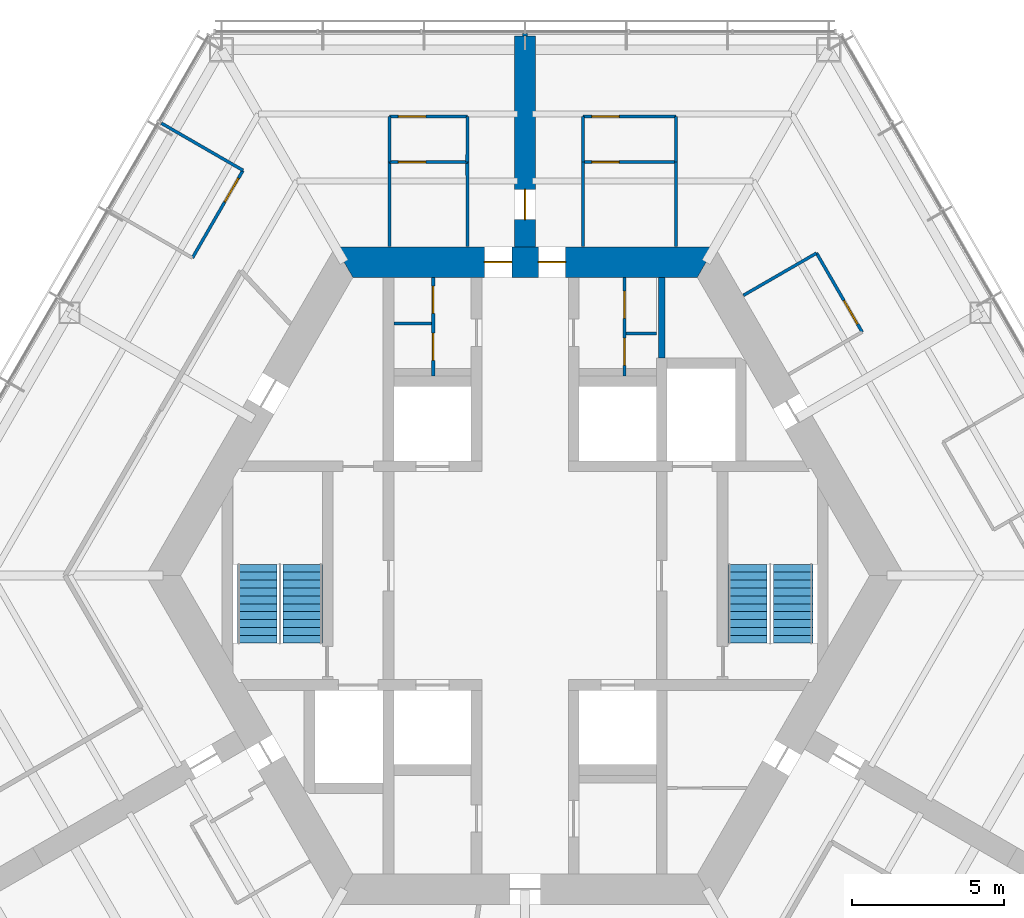
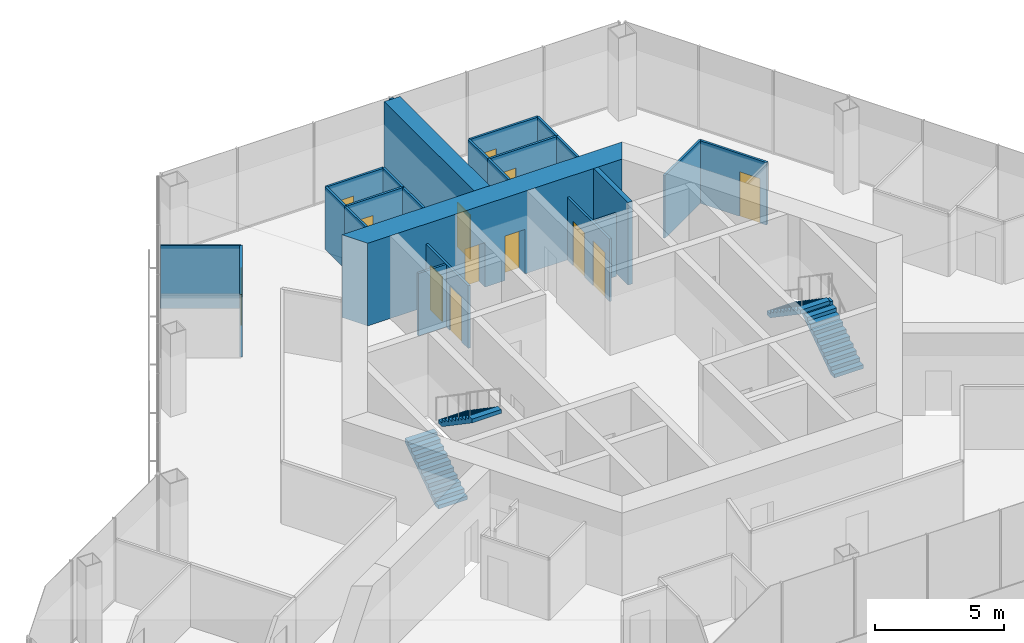
# One storey, part 15 of 18: 24 walls, 13 doors, 4 stair flights, 13 openings, 2 elements without a shape of their own.
"""IFC4 building model written with IfcOpenShell, lengths in metres."""

import ifcopenshell
import ifcopenshell.guid

model = None  # the IFC model being written
_history = None  # IfcOwnerHistory: only IFC2X3 demands one
_inside = {}  # id of a spatial element -> (the spatial element, [elements in it])
_under = {}  # id of a project, library or spatial element -> (it, [spatial elements below it])
_declared = {}  # id of a project -> (the project, [libraries it declares])
_typed = {}  # id of a type object -> (the type object, [elements of that type])
_made_of = {}  # id of a material, layer set ... -> (it, [elements and type objects made of it])


def new_model(schema):
    """Start an empty IFC model of exactly this schema.

    Asked for "IFC4X3", IfcOpenShell would pick the latest addendum, in which some entities
    have other attributes; the version numbers below select the first issue.
    IFC2X3 requires an IfcOwnerHistory on every rooted entity: one is made here for all.
    """
    global model, _history
    if schema == "IFC4X3":
        model = ifcopenshell.file(schema_version=(4, 3, 0, 0))
    else:
        model = ifcopenshell.file(schema=schema)
    _inside.clear()
    _under.clear()
    _declared.clear()
    _typed.clear()
    _made_of.clear()
    _history = None
    if model.schema == "IFC2X3":
        org = make("IfcOrganization", Name="unknown")
        user = make(
            "IfcPersonAndOrganization",
            ThePerson=make("IfcPerson", FamilyName="unknown"),
            TheOrganization=org,
        )
        app = make(
            "IfcApplication",
            ApplicationDeveloper=org,
            Version="unknown",
            ApplicationFullName="unknown",
            ApplicationIdentifier="unknown",
        )
        _history = make(
            "IfcOwnerHistory",
            OwningUser=user,
            OwningApplication=app,
            ChangeAction="ADDED",
            CreationDate=0,
        )
    return model


def make(cls, **values):
    """One entity of the class cls with the attributes given. An attribute that is None is left unset."""
    return model.create_entity(
        cls, **{name: value for name, value in values.items() if value is not None}
    )


def rooted(cls, **values):
    """An entity with a GlobalId (a new one), such as an element, a storey or a relation."""
    return make(cls, GlobalId=ifcopenshell.guid.new(), OwnerHistory=_history, **values)


def si_unit(unit_type, name, prefix=None):
    """IfcSIUnit, for example si_unit("LENGTHUNIT", "METRE", prefix="MILLI")."""
    return make("IfcSIUnit", UnitType=unit_type, Prefix=prefix, Name=name)


def assignment(units):
    """IfcUnitAssignment: the units of a project."""
    return None if units is None else make("IfcUnitAssignment", Units=units)


def point(xyz):
    """IfcCartesianPoint."""
    return None if xyz is None else make("IfcCartesianPoint", Coordinates=xyz)


def direction(xyz):
    """IfcDirection."""
    return None if xyz is None else make("IfcDirection", DirectionRatios=xyz)


def frame(location, z_axis=None, x_axis=None):
    """IfcAxis2Placement3D, a coordinate frame: its origin and axes. An axis left out is left unset."""
    return make(
        "IfcAxis2Placement3D",
        Location=point(location),
        Axis=direction(z_axis),
        RefDirection=direction(x_axis),
    )


def frame_2d(location, x_axis=None):
    """IfcAxis2Placement2D, a coordinate frame in the plane: its origin and x axis."""
    return make(
        "IfcAxis2Placement2D", Location=point(location), RefDirection=direction(x_axis)
    )


def origin():
    """The frame at (0, 0, 0) with its axes left unset."""
    return frame((0.0, 0.0, 0.0))


def place(relative_to, where):
    """IfcLocalPlacement: puts the frame where relative to a parent placement (None: the world)."""
    return make(
        "IfcLocalPlacement", PlacementRelTo=relative_to, RelativePlacement=where
    )


def context(
    kind, dimensions, precision=None, world=None, true_north=None, identifier=None
):
    """IfcGeometricRepresentationContext, for example the 3D "Model" context."""
    return make(
        "IfcGeometricRepresentationContext",
        ContextIdentifier=identifier,
        ContextType=kind,
        CoordinateSpaceDimension=dimensions,
        Precision=precision,
        WorldCoordinateSystem=world,
        TrueNorth=true_north,
    )


def subcontext(parent, identifier, kind, view, scale=None):
    """IfcGeometricRepresentationSubContext, for example "Body" below "Model"."""
    return make(
        "IfcGeometricRepresentationSubContext",
        ContextIdentifier=identifier,
        ContextType=kind,
        ParentContext=parent,
        TargetScale=scale,
        TargetView=view,
    )


def project(units=None, contexts=None):
    """IfcProject with its units and contexts."""
    return rooted(
        "IfcProject",
        Name="project",
        RepresentationContexts=contexts,
        UnitsInContext=assignment(units),
    )


def spatial(cls, under=None, at=None, **own):
    """A site, building, storey or space (cls), placed at a placement, below another one or the project."""
    s = rooted(cls, ObjectPlacement=at, **own)
    if under is not None:
        _under.setdefault(under.id(), (under, []))[1].append(s)
    return s


def polyline(points):
    """IfcPolyline through the points."""
    return make("IfcPolyline", Points=[point(p) for p in points])


def profile(cls, at=None, kind="AREA", **sizes):
    """A parametric profile (cls). Its sizes go by their IFC names, for example OverallWidth=200.0."""
    return make(cls, ProfileType=kind, Position=at, **sizes)


def rectangle(**sizes):
    """IfcRectangleProfileDef."""
    return profile("IfcRectangleProfileDef", **sizes)


def outline(outer, holes=None, kind="AREA"):
    """IfcArbitraryClosedProfileDef: a profile drawn as a closed curve; with holes, ...WithVoids."""
    if holes is None:
        return make("IfcArbitraryClosedProfileDef", ProfileType=kind, OuterCurve=outer)
    return make(
        "IfcArbitraryProfileDefWithVoids",
        ProfileType=kind,
        OuterCurve=outer,
        InnerCurves=holes,
    )


def extrude(swept, where, along, depth):
    """IfcExtrudedAreaSolid: the profile swept, set in the frame where, extruded along a direction by depth."""
    return make(
        "IfcExtrudedAreaSolid",
        SweptArea=swept,
        Position=where,
        ExtrudedDirection=direction(along),
        Depth=depth,
    )


def shape(context_of_items, identifier, shape_type, items):
    """IfcShapeRepresentation: the items that make up one representation, for example the "Body"."""
    return make(
        "IfcShapeRepresentation",
        ContextOfItems=context_of_items,
        RepresentationIdentifier=identifier,
        RepresentationType=shape_type,
        Items=items,
    )


def material(Name=None, Category=None):
    """IfcMaterial."""
    return make("IfcMaterial", Name=Name, Category=Category)


def layer(
    of_material, thickness, ventilated=None, Name=None, Category=None, Priority=None
):
    """IfcMaterialLayer: one layer of a wall or slab, of a material (None: an air gap)."""
    return make(
        "IfcMaterialLayer",
        Material=of_material,
        LayerThickness=thickness,
        IsVentilated=ventilated,
        Name=Name,
        Category=Category,
        Priority=Priority,
    )


def layer_set(layers, Name=None):
    """IfcMaterialLayerSet."""
    return make("IfcMaterialLayerSet", MaterialLayers=layers, LayerSetName=Name)


def made_of(thing, what):
    """Note that an element or type object is made of a material, layer set ...; save() writes the relation."""
    if what is not None:
        _made_of.setdefault(what.id(), (what, []))[1].append(thing)
    return thing


def type_object(cls, material=None, **own):
    """A type object (cls), such as IfcWallType, which elements share."""
    return made_of(rooted(cls, **own), material)


def element(
    cls,
    number,
    at=None,
    inside=None,
    cuts=None,
    type_object=None,
    material=None,
    context=None,
    identifier="Body",
    shape_type=None,
    held_by="IfcProductDefinitionShape",
    body=None,
    shapes=None,
    **own,
):
    """One element of the class cls, such as IfcWall. Its Tag is "e" and its number.

    at: its placement. inside: the storey or other place that contains it. cuts: it is an
    opening in that element (IfcRelVoidsElement). A single representation is given by context,
    identifier, shape_type and body (its items); several are given by shapes. held_by: the class
    of the entity that holds the representations. save() writes the other relations.
    """
    e = rooted(cls, Tag="e%d" % number, ObjectPlacement=at, **own)
    if body is not None:
        shapes = [shape(context, identifier, shape_type, body)]
    if shapes is not None:
        e.Representation = make(held_by, Representations=shapes)
    if inside is not None:
        _inside.setdefault(inside.id(), (inside, []))[1].append(e)
    if cuts is not None:
        rooted(
            "IfcRelVoidsElement", RelatingBuildingElement=cuts, RelatedOpeningElement=e
        )
    if type_object is not None:
        _typed.setdefault(type_object.id(), (type_object, []))[1].append(e)
    return made_of(e, material)


def fill(opening, filler):
    """IfcRelFillsElement: the door or window that sits in an opening."""
    return rooted(
        "IfcRelFillsElement",
        RelatingOpeningElement=opening,
        RelatedBuildingElement=filler,
    )


def aggregate(whole, parts):
    """IfcRelAggregates: a whole, such as a stair, and the parts it consists of."""
    return rooted("IfcRelAggregates", RelatingObject=whole, RelatedObjects=parts)


def save(model, path):
    """Write the relations noted so far, then the file.

    IfcRelAggregates (storeys below a building ...), IfcRelContainedInSpatialStructure (elements
    in a storey), IfcRelDefinesByType, IfcRelAssociatesMaterial and IfcRelDeclares: one each for
    every whole, place, type object, material and project.
    """
    for whole, parts in _under.values():
        aggregate(whole, parts)
    for where, things in _inside.values():
        rooted(
            "IfcRelContainedInSpatialStructure",
            RelatedElements=things,
            RelatingStructure=where,
        )
    for kind, things in _typed.values():
        rooted("IfcRelDefinesByType", RelatedObjects=things, RelatingType=kind)
    for what, things in _made_of.values():
        rooted("IfcRelAssociatesMaterial", RelatedObjects=things, RelatingMaterial=what)
    for by, libraries in _declared.values():
        rooted("IfcRelDeclares", RelatingContext=by, RelatedDefinitions=libraries)
    model.write(path)


model = new_model("IFC4")

# Units and contexts
model_context = context("Model", 3, precision=1e-05, world=origin(), true_north=direction((0.0, 1.0)))
body_context = subcontext(model_context, "Body", "Model", "MODEL_VIEW")
ifc_project = project(units=[si_unit("LENGTHUNIT", "METRE"), si_unit("AREAUNIT", "SQUARE_METRE"), si_unit("VOLUMEUNIT", "CUBIC_METRE"), si_unit("PLANEANGLEUNIT", "RADIAN"), si_unit("MASSUNIT", "GRAM", prefix="KILO")], contexts=[model_context])

# Site, building, storey
site_placement = place(None, origin())
site = spatial("IfcSite", under=ifc_project, at=site_placement, CompositionType="ELEMENT")
building_placement = place(site_placement, origin())
building = spatial("IfcBuilding", under=site, at=building_placement, Name="Kasaneha Research Tower", CompositionType="ELEMENT")
storey_placement = place(building_placement, frame((0.0, 0.0, 195.5)))
storey = spatial("IfcBuildingStorey", under=building, at=storey_placement, Name="L49", CompositionType="ELEMENT", Elevation=195.5)

# Wall, openings, doors
ifc_material_1 = material(Name="Concrete Fc70", Category="concrete")
ifc_layer_1 = layer(ifc_material_1, 1.0)
ifc_layer_set_1 = layer_set([ifc_layer_1], Name="Core wall 1000 Fc70")
wall_type_1 = type_object("IfcWallType", Name="Core wall 1000 Fc70", PredefinedType="SHEAR", material=ifc_layer_set_1)
wall_1_placement = place(storey_placement, frame((5.961181640625, 10.324951171875, 0.0), z_axis=(0.0, 0.0, 1.0), x_axis=(-1.0, 0.0, 0.0)))
wall_1 = element("IfcWall", 1, at=wall_1_placement, inside=storey, type_object=wall_type_1, Name="Core wall 090 L49", PredefinedType="SHEAR", context=body_context, shape_type="SweptSolid", body=[
    extrude(outline(polyline([(-0.28857421875, -0.5), (4.62353515625, -0.5), (5.5234375, -0.5), (6.398681640625, -0.5), (7.298583984375, -0.5), (12.2109375, -0.5), (11.6337890625, 0.5), (7.298583984375, 0.5), (6.398681640625, 0.5), (5.5234375, 0.5), (4.62353515625, 0.5), (0.28857421875, 0.5), (-0.28857421875, -0.5)])), origin(), (0.0, 0.0, 1.0), 3.89990234375),
])
opening_1_placement = place(wall_1_placement, frame((6.398681640625, 0.0, 0.0)))
opening_1 = element("IfcOpeningElement", 2, at=opening_1_placement, cuts=wall_1, Name="Opening L49-D01", PredefinedType="OPENING", context=body_context, shape_type="SweptSolid", body=[
    extrude(rectangle(XDim=0.89990234375, YDim=2.10009765625, at=frame_2d((0.449951171875, 1.050048828125))), frame((0.0, 0.510009765625, 0.0), z_axis=(0.0, -1.0, 0.0), x_axis=(1.0, 0.0, 0.0)), (0.0, 0.0, 1.0), 1.02001953125),
])
opening_2_placement = place(wall_1_placement, frame((4.62353515625, 0.0, 0.0)))
opening_2 = element("IfcOpeningElement", 3, at=opening_2_placement, cuts=wall_1, Name="Opening L49-D02", PredefinedType="OPENING", context=body_context, shape_type="SweptSolid", body=[
    extrude(rectangle(XDim=0.89990234375, YDim=2.10009765625, at=frame_2d((0.449951171875, 1.050048828125))), frame((0.0, 0.510009765625, 0.0), z_axis=(0.0, -1.0, 0.0), x_axis=(1.0, 0.0, 0.0)), (0.0, 0.0, 1.0), 1.02001953125),
])
ifc_material_2 = material(Name="Steel", Category="steel")
door_type_1 = type_object("IfcDoorType", Name="Toilet door FD20 900x2100", OperationType="NOTDEFINED", PredefinedType="DOOR", material=ifc_material_2)
door_1_placement = place(opening_1_placement, origin())
door_1 = element("IfcDoor", 4, at=door_1_placement, inside=storey, type_object=door_type_1, Name="Core door north 1 L49-D01", OperationType="SINGLE_SWING_RIGHT", OverallHeight=2.10009765625, OverallWidth=0.89990234375, PredefinedType="DOOR", context=body_context, shape_type="SweptSolid", body=[
    extrude(rectangle(XDim=0.89990234375, YDim=2.10009765625, at=frame_2d((0.449951171875, 1.050048828125))), frame((0.0, 0.02490234375, 0.0), z_axis=(0.0, -1.0, 0.0), x_axis=(1.0, 0.0, 0.0)), (0.0, 0.0, 1.0), 0.050048828125),
])
fill(opening_1, door_1)
door_2_placement = place(opening_2_placement, origin())
door_2 = element("IfcDoor", 5, at=door_2_placement, inside=storey, type_object=door_type_1, Name="Core door north 2 L49-D02", OperationType="SINGLE_SWING_LEFT", OverallHeight=2.10009765625, OverallWidth=0.89990234375, PredefinedType="DOOR", context=body_context, shape_type="SweptSolid", body=[
    extrude(rectangle(XDim=0.89990234375, YDim=2.10009765625, at=frame_2d((0.449951171875, 1.050048828125))), frame((0.0, 0.02490234375, 0.0), z_axis=(0.0, -1.0, 0.0), x_axis=(1.0, 0.0, 0.0)), (0.0, 0.0, 1.0), 0.050048828125),
])
fill(opening_2, door_2)

ifc_material_3 = material(Name="Gypsum board on steel studs, one layer each side", Category="steel")
ifc_layer_2 = layer(ifc_material_3, 0.10009765625)
ifc_layer_set_2 = layer_set([ifc_layer_2], Name="Office partition 100")
wall_type_2 = type_object("IfcWallType", Name="Office partition 100", PredefinedType="PARTITIONING", material=ifc_layer_set_2)
wall_2_placement = place(storey_placement, frame((-3.02490234375, 6.574951171875, 0.0), z_axis=(0.0, 0.0, 1.0), x_axis=(0.0, 1.0, 0.0)))
wall_2 = element("IfcWall", 6, at=wall_2_placement, inside=storey, type_object=wall_type_2, Name="Office partition TBM1 L49", PredefinedType="PARTITIONING", context=body_context, shape_type="SweptSolid", body=[
    extrude(rectangle(XDim=3.25, YDim=0.10009765625, at=frame_2d((1.625, 0.0))), origin(), (0.0, 0.0, 1.0), 2.949951171875),
])
opening_3_placement = place(wall_2_placement, frame((2.06494140625, 0.0, 0.0)))
opening_3 = element("IfcOpeningElement", 7, at=opening_3_placement, cuts=wall_2, Name="Opening L49-D20", PredefinedType="OPENING", context=body_context, shape_type="SweptSolid", body=[
    extrude(rectangle(XDim=0.89990234375, YDim=2.10009765625, at=frame_2d((0.449951171875, 1.050048828125))), frame((0.0, 0.06005859375, 0.0), z_axis=(0.0, -1.0, 0.0), x_axis=(1.0, 0.0, 0.0)), (0.0, 0.0, 1.0), 0.1201171875),
])
opening_4_placement = place(wall_2_placement, frame((0.514892578125, 0.0, 0.0)))
opening_4 = element("IfcOpeningElement", 8, at=opening_4_placement, cuts=wall_2, Name="Opening L49-D21", PredefinedType="OPENING", context=body_context, shape_type="SweptSolid", body=[
    extrude(rectangle(XDim=0.89990234375, YDim=2.10009765625, at=frame_2d((0.449951171875, 1.050048828125))), frame((0.0, 0.06005859375, 0.0), z_axis=(0.0, -1.0, 0.0), x_axis=(1.0, 0.0, 0.0)), (0.0, 0.0, 1.0), 0.1201171875),
])
ifc_material_4 = material(Name="Steel", Category="steel")
door_type_2 = type_object("IfcDoorType", Name="Toilet lobby door FD30 900x2100", OperationType="NOTDEFINED", PredefinedType="DOOR", material=ifc_material_4)
door_3_placement = place(opening_3_placement, origin())
door_3 = element("IfcDoor", 9, at=door_3_placement, inside=storey, type_object=door_type_2, Name="Men's WC door L49-D20", OperationType="SINGLE_SWING_RIGHT", OverallHeight=2.10009765625, OverallWidth=0.89990234375, PredefinedType="DOOR", context=body_context, shape_type="SweptSolid", body=[
    extrude(rectangle(XDim=0.89990234375, YDim=2.10009765625, at=frame_2d((0.449951171875, 1.050048828125))), frame((0.0, 0.02490234375, 0.0), z_axis=(0.0, -1.0, 0.0), x_axis=(1.0, 0.0, 0.0)), (0.0, 0.0, 1.0), 0.050048828125),
])
fill(opening_3, door_3)
door_4_placement = place(opening_4_placement, origin())
door_4 = element("IfcDoor", 10, at=door_4_placement, inside=storey, type_object=door_type_2, Name="Shower room door L49-D21", OperationType="SINGLE_SWING_RIGHT", OverallHeight=2.10009765625, OverallWidth=0.89990234375, PredefinedType="DOOR", context=body_context, shape_type="SweptSolid", body=[
    extrude(rectangle(XDim=0.89990234375, YDim=2.10009765625, at=frame_2d((0.449951171875, 1.050048828125))), frame((0.0, 0.02490234375, 0.0), z_axis=(0.0, -1.0, 0.0), x_axis=(1.0, 0.0, 0.0)), (0.0, 0.0, 1.0), 0.050048828125),
])
fill(opening_4, door_4)

# Wall
wall_3_placement = place(storey_placement, frame((-3.074951171875, 8.304931640625, 0.0), z_axis=(0.0, 0.0, 1.0), x_axis=(-1.0, 0.0, 0.0)))
element("IfcWall", 11, at=wall_3_placement, inside=storey, type_object=wall_type_2, Name="Office partition TBM2 L49", PredefinedType="PARTITIONING", context=body_context, shape_type="SweptSolid", body=[
    extrude(rectangle(XDim=1.25, YDim=0.10009765625, at=frame_2d((0.625, 0.0))), origin(), (0.0, 0.0, 1.0), 2.949951171875),
])

# Wall, openings, doors
wall_4_placement = place(storey_placement, frame((3.27490234375, 6.574951171875, 0.0), z_axis=(0.0, 0.0, 1.0), x_axis=(0.0, 1.0, 0.0)))
wall_4 = element("IfcWall", 12, at=wall_4_placement, inside=storey, type_object=wall_type_2, Name="Office partition TBF1 L49", PredefinedType="PARTITIONING", context=body_context, shape_type="SweptSolid", body=[
    extrude(rectangle(XDim=3.25, YDim=0.10009765625, at=frame_2d((1.625, 0.0))), origin(), (0.0, 0.0, 1.0), 2.949951171875),
])
opening_5_placement = place(wall_4_placement, frame((1.89990234375, 0.0, 0.0)))
opening_5 = element("IfcOpeningElement", 13, at=opening_5_placement, cuts=wall_4, Name="Opening L49-D22", PredefinedType="OPENING", context=body_context, shape_type="SweptSolid", body=[
    extrude(rectangle(XDim=0.89990234375, YDim=2.10009765625, at=frame_2d((0.449951171875, 1.050048828125))), frame((0.0, 0.06005859375, 0.0), z_axis=(0.0, -1.0, 0.0), x_axis=(1.0, 0.0, 0.0)), (0.0, 0.0, 1.0), 0.1201171875),
])
opening_6_placement = place(wall_4_placement, frame((0.35009765625, 0.0, 0.0)))
opening_6 = element("IfcOpeningElement", 14, at=opening_6_placement, cuts=wall_4, Name="Opening L49-D23", PredefinedType="OPENING", context=body_context, shape_type="SweptSolid", body=[
    extrude(rectangle(XDim=0.89990234375, YDim=2.10009765625, at=frame_2d((0.449951171875, 1.050048828125))), frame((0.0, 0.06005859375, 0.0), z_axis=(0.0, -1.0, 0.0), x_axis=(1.0, 0.0, 0.0)), (0.0, 0.0, 1.0), 0.1201171875),
])
door_5_placement = place(opening_5_placement, origin())
door_5 = element("IfcDoor", 15, at=door_5_placement, inside=storey, type_object=door_type_2, Name="Women's WC door L49-D22", OperationType="SINGLE_SWING_RIGHT", OverallHeight=2.10009765625, OverallWidth=0.89990234375, PredefinedType="DOOR", context=body_context, shape_type="SweptSolid", body=[
    extrude(rectangle(XDim=0.89990234375, YDim=2.10009765625, at=frame_2d((0.449951171875, 1.050048828125))), frame((0.0, 0.02490234375, 0.0), z_axis=(0.0, -1.0, 0.0), x_axis=(1.0, 0.0, 0.0)), (0.0, 0.0, 1.0), 0.050048828125),
])
fill(opening_5, door_5)
door_6_placement = place(opening_6_placement, origin())
door_6 = element("IfcDoor", 16, at=door_6_placement, inside=storey, type_object=door_type_2, Name="Cleaner's store door L49-D23", OperationType="SINGLE_SWING_RIGHT", OverallHeight=2.10009765625, OverallWidth=0.89990234375, PredefinedType="DOOR", context=body_context, shape_type="SweptSolid", body=[
    extrude(rectangle(XDim=0.89990234375, YDim=2.10009765625, at=frame_2d((0.449951171875, 1.050048828125))), frame((0.0, 0.02490234375, 0.0), z_axis=(0.0, -1.0, 0.0), x_axis=(1.0, 0.0, 0.0)), (0.0, 0.0, 1.0), 0.050048828125),
])
fill(opening_6, door_6)

# Wall
wall_5_placement = place(storey_placement, frame((3.324951171875, 7.97509765625, 0.0), z_axis=(0.0, 0.0, 1.0), x_axis=(1.0, 0.0, 0.0)))
element("IfcWall", 17, at=wall_5_placement, inside=storey, type_object=wall_type_2, Name="Office partition TBF2 L49", PredefinedType="PARTITIONING", context=body_context, shape_type="SweptSolid", body=[
    extrude(rectangle(XDim=1.0, YDim=0.10009765625, at=frame_2d((0.5, 0.0))), origin(), (0.0, 0.0, 1.0), 2.949951171875),
])

# Wall, opening, door
wall_6_placement = place(storey_placement, frame((1.89990234375, 13.6201171875, 0.0), z_axis=(0.0, 0.0, 1.0), x_axis=(1.0, 0.0, 0.0)))
wall_6 = element("IfcWall", 18, at=wall_6_placement, inside=storey, type_object=wall_type_2, Name="Office partition FAE01 L49", PredefinedType="PARTITIONING", context=body_context, shape_type="SweptSolid", body=[
    extrude(rectangle(XDim=3.071044921875, YDim=0.10009765625, at=frame_2d((1.53564453125, 0.0))), origin(), (0.0, 0.0, 1.0), 2.949951171875),
])
opening_7_placement = place(wall_6_placement, frame((0.300048828125, 0.0, 0.0)))
opening_7 = element("IfcOpeningElement", 19, at=opening_7_placement, cuts=wall_6, Name="Opening L49-D25", PredefinedType="OPENING", context=body_context, shape_type="SweptSolid", body=[
    extrude(rectangle(XDim=0.89990234375, YDim=2.10009765625, at=frame_2d((0.449951171875, 1.050048828125))), frame((0.0, 0.06005859375, 0.0), z_axis=(0.0, -1.0, 0.0), x_axis=(1.0, 0.0, 0.0)), (0.0, 0.0, 1.0), 0.1201171875),
])
door_7_placement = place(opening_7_placement, origin())
door_7 = element("IfcDoor", 20, at=door_7_placement, inside=storey, type_object=door_type_2, Name="Women's WC door L49-D25", OperationType="SINGLE_SWING_LEFT", OverallHeight=2.10009765625, OverallWidth=0.89990234375, PredefinedType="DOOR", context=body_context, shape_type="SweptSolid", body=[
    extrude(rectangle(XDim=0.89990234375, YDim=2.10009765625, at=frame_2d((0.449951171875, 1.050048828125))), frame((0.0, 0.02490234375, 0.0), z_axis=(0.0, -1.0, 0.0), x_axis=(1.0, 0.0, 0.0)), (0.0, 0.0, 1.0), 0.050048828125),
])
fill(opening_7, door_7)

# Walls
for number, where, z_axis, x_axis, name in (
    (21, (1.89990234375, 10.844970703125, 0.0), (0.0, 0.0, 1.0), (0.001668567099, 0.999998607941, 0.0), "Office partition FAE02 L49"),
    (22, (4.96630859375, 13.625, 0.0), (0.0, 0.0, 1.0), (0.001668567099, -0.999998607941, 0.0), "Office partition FAE03 L49"),
):
    element("IfcWall", number, at=place(storey_placement, frame(where, z_axis=z_axis, x_axis=x_axis)), inside=storey, type_object=wall_type_2, Name=name, PredefinedType="PARTITIONING", context=body_context, shape_type="SweptSolid", body=[
        extrude(rectangle(XDim=2.780029296875, YDim=0.10009765625, at=frame_2d((1.39013671875, 0.0))), origin(), (0.0, 0.0, 1.0), 2.949951171875),
    ])

# Wall, opening, door
wall_7_placement = place(storey_placement, frame((1.89990234375, 15.125, 0.0), z_axis=(0.0, 0.0, 1.0), x_axis=(1.0, 0.0, 0.0)))
wall_7 = element("IfcWall", 23, at=wall_7_placement, inside=storey, type_object=wall_type_2, Name="Office partition FAE04 L49", PredefinedType="PARTITIONING", context=body_context, shape_type="SweptSolid", body=[
    extrude(rectangle(XDim=3.071044921875, YDim=0.10009765625, at=frame_2d((1.53564453125, 0.0))), origin(), (0.0, 0.0, 1.0), 2.949951171875),
])
opening_8_placement = place(wall_7_placement, frame((0.300048828125, 0.0, 0.0)))
opening_8 = element("IfcOpeningElement", 24, at=opening_8_placement, cuts=wall_7, Name="Opening L49-D26", PredefinedType="OPENING", context=body_context, shape_type="SweptSolid", body=[
    extrude(rectangle(XDim=0.89990234375, YDim=2.10009765625, at=frame_2d((0.449951171875, 1.050048828125))), frame((0.0, 0.06005859375, 0.0), z_axis=(0.0, -1.0, 0.0), x_axis=(1.0, 0.0, 0.0)), (0.0, 0.0, 1.0), 0.1201171875),
])
door_8_placement = place(opening_8_placement, origin())
door_8 = element("IfcDoor", 25, at=door_8_placement, inside=storey, type_object=door_type_2, Name="Toilet lobby door L49-D26", OperationType="SINGLE_SWING_LEFT", OverallHeight=2.10009765625, OverallWidth=0.89990234375, PredefinedType="DOOR", context=body_context, shape_type="SweptSolid", body=[
    extrude(rectangle(XDim=0.89990234375, YDim=2.10009765625, at=frame_2d((0.449951171875, 1.050048828125))), frame((0.0, 0.02490234375, 0.0), z_axis=(0.0, -1.0, 0.0), x_axis=(1.0, 0.0, 0.0)), (0.0, 0.0, 1.0), 0.050048828125),
])
fill(opening_8, door_8)

# Walls
for number, where, z_axis, x_axis, name in (
    (26, (1.904541015625, 13.625, 0.0), (0.0, 0.0, 1.0), (-0.00309243313, 0.999995218417, 0.0), "Office partition FAE05 L49"),
    (27, (4.970947265625, 15.125, 0.0), (0.0, 0.0, 1.0), (-0.00309243313, -0.999995218417, 0.0), "Office partition FAE06 L49"),
):
    element("IfcWall", number, at=place(storey_placement, frame(where, z_axis=z_axis, x_axis=x_axis)), inside=storey, type_object=wall_type_2, Name=name, PredefinedType="PARTITIONING", context=body_context, shape_type="SweptSolid", body=[
        extrude(rectangle(XDim=1.5, YDim=0.10009765625, at=frame_2d((0.75, 0.0))), origin(), (0.0, 0.0, 1.0), 2.949951171875),
    ])
wall_8_placement = place(storey_placement, frame((7.19189453125, 9.23291015625, 0.0), z_axis=(0.0, 0.0, 1.0), x_axis=(0.866018876994, 0.500011304563, 0.0)))
element("IfcWall", 28, at=wall_8_placement, inside=storey, type_object=wall_type_2, Name="Office partition FAE07 L49", PredefinedType="PARTITIONING", context=body_context, shape_type="SweptSolid", body=[
    extrude(rectangle(XDim=2.7802734375, YDim=0.10009765625, at=frame_2d((1.39013671875, 0.0))), origin(), (0.0, 0.0, 1.0), 2.949951171875),
])

# Wall, opening, door
wall_9_placement = place(storey_placement, frame((9.599609375, 10.623046875, 0.0), z_axis=(0.0, 0.0, 1.0), x_axis=(0.499990139034, -0.866031096941, 0.0)))
wall_9 = element("IfcWall", 29, at=wall_9_placement, inside=storey, type_object=wall_type_2, Name="Office partition FAE08 L49", PredefinedType="PARTITIONING", context=body_context, shape_type="SweptSolid", body=[
    extrude(rectangle(XDim=3.0, YDim=0.10009765625, at=frame_2d((1.5, 0.0))), origin(), (0.0, 0.0, 1.0), 2.949951171875),
])
opening_9_placement = place(wall_9_placement, frame((1.800048828125, 0.0, 0.0)))
opening_9 = element("IfcOpeningElement", 30, at=opening_9_placement, cuts=wall_9, Name="Opening L49-D27", PredefinedType="OPENING", context=body_context, shape_type="SweptSolid", body=[
    extrude(rectangle(XDim=0.89990234375, YDim=2.10009765625, at=frame_2d((0.449951171875, 1.050048828125))), frame((0.0, 0.06005859375, 0.0), z_axis=(0.0, -1.0, 0.0), x_axis=(1.0, 0.0, 0.0)), (0.0, 0.0, 1.0), 0.1201171875),
])
ifc_material_5 = material(Name="Timber veneer", Category="wood")
door_type_3 = type_object("IfcDoorType", Name="Office door 900x2100", OperationType="SINGLE_SWING_LEFT", PredefinedType="DOOR", material=ifc_material_5)
door_9_placement = place(opening_9_placement, origin())
door_9 = element("IfcDoor", 31, at=door_9_placement, inside=storey, type_object=door_type_3, Name="Pantry door L49-D27", OperationType="SINGLE_SWING_RIGHT", OverallHeight=2.10009765625, OverallWidth=0.89990234375, PredefinedType="DOOR", context=body_context, shape_type="SweptSolid", body=[
    extrude(rectangle(XDim=0.89990234375, YDim=2.10009765625, at=frame_2d((0.449951171875, 1.050048828125))), frame((0.0, 0.02490234375, 0.0), z_axis=(0.0, -1.0, 0.0), x_axis=(1.0, 0.0, 0.0)), (0.0, 0.0, 1.0), 0.050048828125),
])
fill(opening_9, door_9)

wall_10_placement = place(storey_placement, frame((-4.470947265625, 13.6201171875, 0.0), z_axis=(0.0, 0.0, 1.0), x_axis=(1.0, 0.0, 0.0)))
wall_10 = element("IfcWall", 32, at=wall_10_placement, inside=storey, type_object=wall_type_2, Name="Office partition FAW01 L49", PredefinedType="PARTITIONING", context=body_context, shape_type="SweptSolid", body=[
    extrude(rectangle(XDim=2.571044921875, YDim=0.10009765625, at=frame_2d((1.28564453125, 0.0))), origin(), (0.0, 0.0, 1.0), 2.949951171875),
])
opening_10_placement = place(wall_10_placement, frame((0.300048828125, 0.0, 0.0)))
opening_10 = element("IfcOpeningElement", 33, at=opening_10_placement, cuts=wall_10, Name="Opening L49-D30", PredefinedType="OPENING", context=body_context, shape_type="SweptSolid", body=[
    extrude(rectangle(XDim=0.89990234375, YDim=2.10009765625, at=frame_2d((0.449951171875, 1.050048828125))), frame((0.0, 0.06005859375, 0.0), z_axis=(0.0, -1.0, 0.0), x_axis=(1.0, 0.0, 0.0)), (0.0, 0.0, 1.0), 0.1201171875),
])
door_10_placement = place(opening_10_placement, origin())
door_10 = element("IfcDoor", 34, at=door_10_placement, inside=storey, type_object=door_type_2, Name="Men's WC door L49-D30", OperationType="SINGLE_SWING_LEFT", OverallHeight=2.10009765625, OverallWidth=0.89990234375, PredefinedType="DOOR", context=body_context, shape_type="SweptSolid", body=[
    extrude(rectangle(XDim=0.89990234375, YDim=2.10009765625, at=frame_2d((0.449951171875, 1.050048828125))), frame((0.0, 0.02490234375, 0.0), z_axis=(0.0, -1.0, 0.0), x_axis=(1.0, 0.0, 0.0)), (0.0, 0.0, 1.0), 0.050048828125),
])
fill(opening_10, door_10)

# Walls
for number, where, z_axis, x_axis, name in (
    (35, (-4.470947265625, 10.844970703125, 0.0), (0.0, 0.0, 1.0), (0.001668567099, 0.999998607941, 0.0), "Office partition FAW02 L49"),
    (36, (-1.90478515625, 13.625, 0.0), (0.0, 0.0, 1.0), (0.001756386155, -0.999998457553, 0.0), "Office partition FAW03 L49"),
):
    element("IfcWall", number, at=place(storey_placement, frame(where, z_axis=z_axis, x_axis=x_axis)), inside=storey, type_object=wall_type_2, Name=name, PredefinedType="PARTITIONING", context=body_context, shape_type="SweptSolid", body=[
        extrude(rectangle(XDim=2.780029296875, YDim=0.10009765625, at=frame_2d((1.39013671875, 0.0))), origin(), (0.0, 0.0, 1.0), 2.949951171875),
    ])

# Wall, opening, door
wall_11_placement = place(storey_placement, frame((-4.470947265625, 15.125, 0.0), z_axis=(0.0, 0.0, 1.0), x_axis=(1.0, 0.0, 0.0)))
wall_11 = element("IfcWall", 37, at=wall_11_placement, inside=storey, type_object=wall_type_2, Name="Office partition FAW04 L49", PredefinedType="PARTITIONING", context=body_context, shape_type="SweptSolid", body=[
    extrude(rectangle(XDim=2.571044921875, YDim=0.10009765625, at=frame_2d((1.28564453125, 0.0))), origin(), (0.0, 0.0, 1.0), 2.949951171875),
])
opening_11_placement = place(wall_11_placement, frame((0.300048828125, 0.0, 0.0)))
opening_11 = element("IfcOpeningElement", 38, at=opening_11_placement, cuts=wall_11, Name="Opening L49-D31", PredefinedType="OPENING", context=body_context, shape_type="SweptSolid", body=[
    extrude(rectangle(XDim=0.89990234375, YDim=2.10009765625, at=frame_2d((0.449951171875, 1.050048828125))), frame((0.0, 0.06005859375, 0.0), z_axis=(0.0, -1.0, 0.0), x_axis=(1.0, 0.0, 0.0)), (0.0, 0.0, 1.0), 0.1201171875),
])
door_11_placement = place(opening_11_placement, origin())
door_11 = element("IfcDoor", 39, at=door_11_placement, inside=storey, type_object=door_type_2, Name="Toilet lobby door L49-D31", OperationType="SINGLE_SWING_LEFT", OverallHeight=2.10009765625, OverallWidth=0.89990234375, PredefinedType="DOOR", context=body_context, shape_type="SweptSolid", body=[
    extrude(rectangle(XDim=0.89990234375, YDim=2.10009765625, at=frame_2d((0.449951171875, 1.050048828125))), frame((0.0, 0.02490234375, 0.0), z_axis=(0.0, -1.0, 0.0), x_axis=(1.0, 0.0, 0.0)), (0.0, 0.0, 1.0), 0.050048828125),
])
fill(opening_11, door_11)

# Walls
for number, where, z_axis, x_axis, name in (
    (40, (-4.46630859375, 13.625, 0.0), (0.0, 0.0, 1.0), (-0.00309243313, 0.999995218417, 0.0), "Office partition FAW05 L49"),
    (41, (-1.89990234375, 15.125, 0.0), (0.0, 0.0, 1.0), (-0.003255191087, -0.999994701851, 0.0), "Office partition FAW06 L49"),
):
    element("IfcWall", number, at=place(storey_placement, frame(where, z_axis=z_axis, x_axis=x_axis)), inside=storey, type_object=wall_type_2, Name=name, PredefinedType="PARTITIONING", context=body_context, shape_type="SweptSolid", body=[
        extrude(rectangle(XDim=1.5, YDim=0.10009765625, at=frame_2d((0.75, 0.0))), origin(), (0.0, 0.0, 1.0), 2.949951171875),
    ])
wall_12_placement = place(storey_placement, frame((-11.979736328125, 14.901611328125, 0.0), z_axis=(0.0, 0.0, 1.0), x_axis=(0.866042875753, -0.499969736442, 0.0)))
element("IfcWall", 42, at=wall_12_placement, inside=storey, type_object=wall_type_2, Name="Office partition FBN12 L49", PredefinedType="PARTITIONING", context=body_context, shape_type="SweptSolid", body=[
    extrude(rectangle(XDim=3.105224609375, YDim=0.10009765625, at=frame_2d((1.552734375, 0.0))), origin(), (0.0, 0.0, 1.0), 2.949951171875),
])

# Wall, opening, door
wall_13_placement = place(storey_placement, frame((-9.29052734375, 13.34912109375, 0.0), z_axis=(0.0, 0.0, 1.0), x_axis=(-0.500033344505, -0.86600615147, 0.0)))
wall_13 = element("IfcWall", 43, at=wall_13_placement, inside=storey, type_object=wall_type_2, Name="Office partition FBN14 L49", PredefinedType="PARTITIONING", context=body_context, shape_type="SweptSolid", body=[
    extrude(rectangle(XDim=3.330810546875, YDim=0.10009765625, at=frame_2d((1.66552734375, 0.0))), origin(), (0.0, 0.0, 1.0), 2.949951171875),
])
opening_12_placement = place(wall_13_placement, frame((0.300048828125, 0.0, 0.0)))
opening_12 = element("IfcOpeningElement", 44, at=opening_12_placement, cuts=wall_13, Name="Opening L49-D36", PredefinedType="OPENING", context=body_context, shape_type="SweptSolid", body=[
    extrude(rectangle(XDim=0.89990234375, YDim=2.10009765625, at=frame_2d((0.449951171875, 1.050048828125))), frame((0.0, 0.06005859375, 0.0), z_axis=(0.0, -1.0, 0.0), x_axis=(1.0, 0.0, 0.0)), (0.0, 0.0, 1.0), 0.1201171875),
])
door_12_placement = place(opening_12_placement, origin())
door_12 = element("IfcDoor", 45, at=door_12_placement, inside=storey, type_object=door_type_3, Name="Project room door L49-D36", OperationType="SINGLE_SWING_LEFT", OverallHeight=2.10009765625, OverallWidth=0.89990234375, PredefinedType="DOOR", context=body_context, shape_type="SweptSolid", body=[
    extrude(rectangle(XDim=0.89990234375, YDim=2.10009765625, at=frame_2d((0.449951171875, 1.050048828125))), frame((0.0, 0.02490234375, 0.0), z_axis=(0.0, -1.0, 0.0), x_axis=(1.0, 0.0, 0.0)), (0.0, 0.0, 1.0), 0.050048828125),
])
fill(opening_12, door_12)

# Wall
ifc_material_6 = material(Name="Concrete block", Category="concrete")
ifc_layer_3 = layer(ifc_material_6, 0.199951171875)
ifc_layer_set_3 = layer_set([ifc_layer_3], Name="Riser enclosure wall 200")
wall_type_3 = type_object("IfcWallType", Name="Riser enclosure wall 200", PredefinedType="STANDARD", material=ifc_layer_set_3)
wall_14_placement = place(storey_placement, frame((4.5, 7.175048828125, 0.0), z_axis=(0.0, 0.0, 1.0), x_axis=(0.0, 1.0, 0.0)))
element("IfcWall", 46, at=wall_14_placement, inside=storey, type_object=wall_type_3, Name="Riser enclosure wall L49", PredefinedType="STANDARD", context=body_context, shape_type="SweptSolid", body=[
    extrude(rectangle(XDim=2.64990234375, YDim=0.199951171875, at=frame_2d((1.324951171875, 0.0))), origin(), (0.0, 0.0, 1.0), 3.89990234375),
])

# Wall, opening, door
ifc_material_7 = material(Name="Concrete Fc70", Category="concrete")
ifc_layer_4 = layer(ifc_material_7, 0.699951171875)
ifc_layer_set_4 = layer_set([ifc_layer_4], Name="Spine wall 700 Fc70")
wall_type_4 = type_object("IfcWallType", Name="Spine wall 700 Fc70", PredefinedType="SHEAR", material=ifc_layer_set_4)
wall_15_placement = place(storey_placement, frame((0.0, 10.824951171875, 0.0), z_axis=(0.0, 0.0, 1.0), x_axis=(0.0, 1.0, 0.0)))
wall_15 = element("IfcWall", 47, at=wall_15_placement, inside=storey, type_object=wall_type_4, Name="Spine wall A L49", PredefinedType="SHEAR", context=body_context, shape_type="SweptSolid", body=[
    extrude(rectangle(XDim=6.945556640625, YDim=0.699951171875, at=frame_2d((3.47265625, 0.0))), origin(), (0.0, 0.0, 1.0), 3.89990234375),
])
opening_13_placement = place(wall_15_placement, frame((0.89990234375, 0.0, 0.0)))
opening_13 = element("IfcOpeningElement", 48, at=opening_13_placement, cuts=wall_15, Name="Opening L49-D17", PredefinedType="OPENING", context=body_context, shape_type="SweptSolid", body=[
    extrude(rectangle(XDim=1.0, YDim=2.10009765625, at=frame_2d((0.5, 1.050048828125))), frame((0.0, 0.35986328125, 0.0), z_axis=(0.0, -1.0, 0.0), x_axis=(1.0, 0.0, 0.0)), (0.0, 0.0, 1.0), 0.719970703125),
])
ifc_material_8 = material(Name="Steel", Category="steel")
door_type_4 = type_object("IfcDoorType", Name="Specified fire door FD60 1000x2100", OperationType="NOTDEFINED", PredefinedType="DOOR", material=ifc_material_8)
door_13_placement = place(opening_13_placement, origin())
door_13 = element("IfcDoor", 49, at=door_13_placement, inside=storey, type_object=door_type_4, Name="Spine doorway A L49-D17", OperationType="SINGLE_SWING_LEFT", OverallHeight=2.10009765625, OverallWidth=1.0, PredefinedType="DOOR", context=body_context, shape_type="SweptSolid", body=[
    extrude(rectangle(XDim=1.0, YDim=2.10009765625, at=frame_2d((0.5, 1.050048828125))), frame((0.0, 0.02490234375, 0.0), z_axis=(0.0, -1.0, 0.0), x_axis=(1.0, 0.0, 0.0)), (0.0, 0.0, 1.0), 0.050048828125),
])
fill(opening_13, door_13)

# Wall
ifc_material_9 = material(Name="Gypsum board on steel studs, two layers each side", Category="steel")
ifc_layer_5 = layer(ifc_material_9, 0.175048828125)
ifc_layer_set_5 = layer_set([ifc_layer_5], Name="Tenancy fire partition 175")
wall_type_5 = type_object("IfcWallType", Name="Tenancy fire partition 175", PredefinedType="PARTITIONING", material=ifc_layer_set_5)
wall_16_placement = place(storey_placement, frame((0.0, 17.7705078125, 0.0), z_axis=(0.0, 0.0, 1.0), x_axis=(0.0, 1.0, 0.0)))
element("IfcWall", 50, at=wall_16_placement, inside=storey, type_object=wall_type_5, Name="Spine wall closer SW3-700 L49", PredefinedType="PARTITIONING", context=body_context, shape_type="SweptSolid", body=[
    extrude(rectangle(XDim=0.080078125, YDim=0.175048828125, at=frame_2d((0.0400390625, 0.0))), origin(), (0.0, 0.0, 1.0), 3.89990234375),
])

# Stair, stair flights
ifc_material_10 = material(Name="Concrete Fc24", Category="concrete")
stair_type = type_object("IfcStairType", Name="Half-turn stair 22 risers", PredefinedType="HALF_TURN_STAIR", material=ifc_material_10)
stair_1_placement = place(storey_placement, origin())
stair_1 = element("IfcStair", 51, at=stair_1_placement, inside=storey, type_object=stair_type, Name="Stair 1 L49", PredefinedType="HALF_TURN_STAIR")
ifc_material_11 = material(Name="Concrete Fc24", Category="concrete")
stair_flight_type = type_object("IfcStairFlightType", Name="Stair flight 11 risers 177.3", PredefinedType="STRAIGHT", material=ifc_material_11)
stair_flight_1_placement = place(storey_placement, frame((8.824951171875, -2.22509765625, 0.0), z_axis=(0.0, 0.0, 1.0), x_axis=(0.0, 1.0, 0.0)))
stair_flight_1 = element("IfcStairFlight", 52, at=stair_flight_1_placement, type_object=stair_flight_type, Name="ST1-22R flight 1", NumberOfRisers=11, NumberOfTreads=10, PredefinedType="STRAIGHT", RiserHeight=0.177272727, TreadLength=0.26, context=body_context, shape_type="SweptSolid", body=[
    extrude(outline(polyline([(0.0, 0.0), (0.0, 0.17724609375), (0.260009765625, 0.17724609375), (0.260009765625, 0.3544921875), (0.52001953125, 0.3544921875), (0.52001953125, 0.53173828125), (0.780029296875, 0.53173828125), (0.780029296875, 0.708984375), (1.0400390625, 0.708984375), (1.0400390625, 0.886474609375), (1.300048828125, 0.886474609375), (1.300048828125, 1.063720703125), (1.56005859375, 1.063720703125), (1.56005859375, 1.240966796875), (1.820068359375, 1.240966796875), (1.820068359375, 1.418212890625), (2.080078125, 1.418212890625), (2.080078125, 1.595458984375), (2.340087890625, 1.595458984375), (2.340087890625, 1.772705078125), (2.60009765625, 1.772705078125), (2.60009765625, 1.949951171875), (2.60009765625, 1.59130859375), (0.26611328125, 0.0), (0.0, 0.0)])), frame((0.0, 0.64990234375, 0.0), z_axis=(0.0, -1.0, 0.0), x_axis=(1.0, 0.0, 0.0)), (0.0, 0.0, 1.0), 1.300048828125),
])
stair_flight_2_placement = place(storey_placement, frame((7.324951171875, 0.375, 1.949951171875), z_axis=(0.0, 0.0, 1.0), x_axis=(0.0, -1.0, 0.0)))
stair_flight_2 = element("IfcStairFlight", 53, at=stair_flight_2_placement, type_object=stair_flight_type, Name="ST1-22R flight 2", NumberOfRisers=11, NumberOfTreads=10, PredefinedType="STRAIGHT", RiserHeight=0.177272727, TreadLength=0.26, context=body_context, shape_type="SweptSolid", body=[
    extrude(outline(polyline([(0.0, 0.0), (0.0, 0.17724609375), (0.260009765625, 0.17724609375), (0.260009765625, 0.3544921875), (0.52001953125, 0.3544921875), (0.52001953125, 0.53173828125), (0.780029296875, 0.53173828125), (0.780029296875, 0.708984375), (1.0400390625, 0.708984375), (1.0400390625, 0.886474609375), (1.300048828125, 0.886474609375), (1.300048828125, 1.063720703125), (1.56005859375, 1.063720703125), (1.56005859375, 1.240966796875), (1.820068359375, 1.240966796875), (1.820068359375, 1.418212890625), (2.080078125, 1.418212890625), (2.080078125, 1.595458984375), (2.340087890625, 1.595458984375), (2.340087890625, 1.772705078125), (2.60009765625, 1.772705078125), (2.60009765625, 1.949951171875), (2.60009765625, 1.59130859375), (0.26611328125, 0.0), (0.0, 0.0)])), frame((0.0, 0.64990234375, 0.0), z_axis=(0.0, -1.0, 0.0), x_axis=(1.0, 0.0, 0.0)), (0.0, 0.0, 1.0), 1.300048828125),
])
aggregate(stair_1, [stair_flight_1, stair_flight_2])

stair_2_placement = place(storey_placement, origin())
stair_2 = element("IfcStair", 54, at=stair_2_placement, inside=storey, type_object=stair_type, Name="Stair 2 L49", PredefinedType="HALF_TURN_STAIR")
stair_flight_3_placement = place(storey_placement, frame((-8.824951171875, -2.22509765625, 0.0), z_axis=(0.0, 0.0, 1.0), x_axis=(0.0, 1.0, 0.0)))
stair_flight_3 = element("IfcStairFlight", 55, at=stair_flight_3_placement, type_object=stair_flight_type, Name="ST2-22R flight 1", NumberOfRisers=11, NumberOfTreads=10, PredefinedType="STRAIGHT", RiserHeight=0.177272727, TreadLength=0.26, context=body_context, shape_type="SweptSolid", body=[
    extrude(outline(polyline([(0.0, 0.0), (0.0, 0.17724609375), (0.260009765625, 0.17724609375), (0.260009765625, 0.3544921875), (0.52001953125, 0.3544921875), (0.52001953125, 0.53173828125), (0.780029296875, 0.53173828125), (0.780029296875, 0.708984375), (1.0400390625, 0.708984375), (1.0400390625, 0.886474609375), (1.300048828125, 0.886474609375), (1.300048828125, 1.063720703125), (1.56005859375, 1.063720703125), (1.56005859375, 1.240966796875), (1.820068359375, 1.240966796875), (1.820068359375, 1.418212890625), (2.080078125, 1.418212890625), (2.080078125, 1.595458984375), (2.340087890625, 1.595458984375), (2.340087890625, 1.772705078125), (2.60009765625, 1.772705078125), (2.60009765625, 1.949951171875), (2.60009765625, 1.59130859375), (0.26611328125, 0.0), (0.0, 0.0)])), frame((0.0, 0.64990234375, 0.0), z_axis=(0.0, -1.0, 0.0), x_axis=(1.0, 0.0, 0.0)), (0.0, 0.0, 1.0), 1.300048828125),
])
stair_flight_4_placement = place(storey_placement, frame((-7.324951171875, 0.375, 1.949951171875), z_axis=(0.0, 0.0, 1.0), x_axis=(0.0, -1.0, 0.0)))
stair_flight_4 = element("IfcStairFlight", 56, at=stair_flight_4_placement, type_object=stair_flight_type, Name="ST2-22R flight 2", NumberOfRisers=11, NumberOfTreads=10, PredefinedType="STRAIGHT", RiserHeight=0.177272727, TreadLength=0.26, context=body_context, shape_type="SweptSolid", body=[
    extrude(outline(polyline([(0.0, 0.0), (0.0, 0.17724609375), (0.260009765625, 0.17724609375), (0.260009765625, 0.3544921875), (0.52001953125, 0.3544921875), (0.52001953125, 0.53173828125), (0.780029296875, 0.53173828125), (0.780029296875, 0.708984375), (1.0400390625, 0.708984375), (1.0400390625, 0.886474609375), (1.300048828125, 0.886474609375), (1.300048828125, 1.063720703125), (1.56005859375, 1.063720703125), (1.56005859375, 1.240966796875), (1.820068359375, 1.240966796875), (1.820068359375, 1.418212890625), (2.080078125, 1.418212890625), (2.080078125, 1.595458984375), (2.340087890625, 1.595458984375), (2.340087890625, 1.772705078125), (2.60009765625, 1.772705078125), (2.60009765625, 1.949951171875), (2.60009765625, 1.59130859375), (0.26611328125, 0.0), (0.0, 0.0)])), frame((0.0, 0.64990234375, 0.0), z_axis=(0.0, -1.0, 0.0), x_axis=(1.0, 0.0, 0.0)), (0.0, 0.0, 1.0), 1.300048828125),
])
aggregate(stair_2, [stair_flight_3, stair_flight_4])

save(model, "model.ifc")
